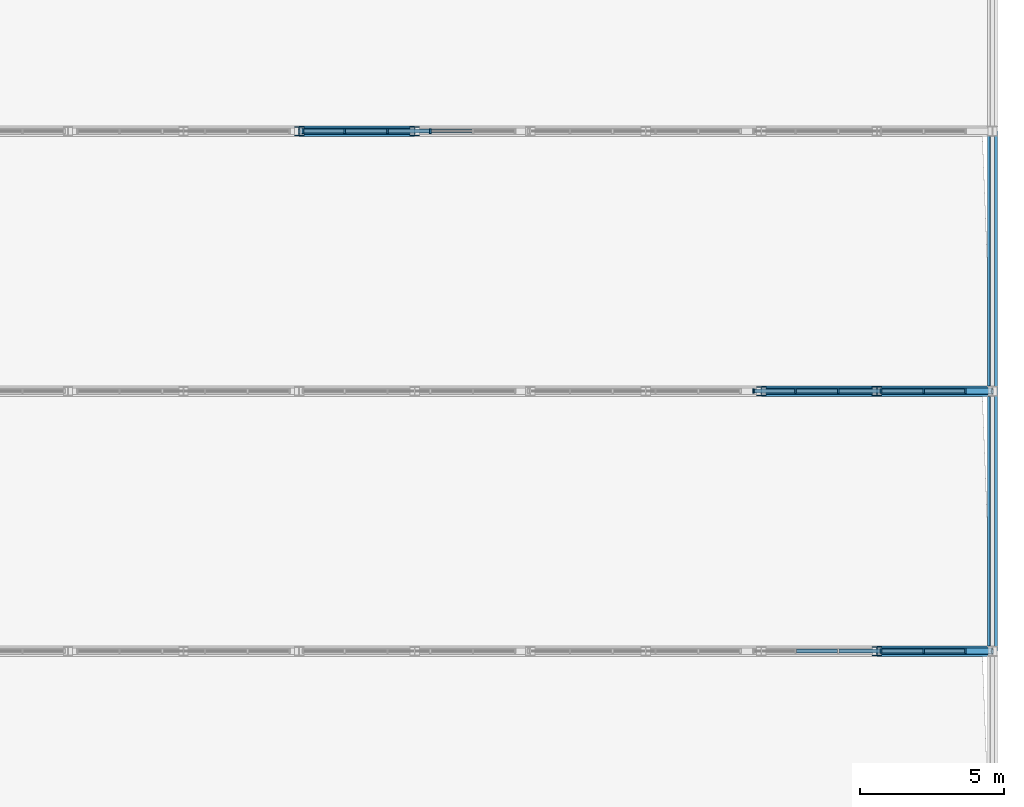
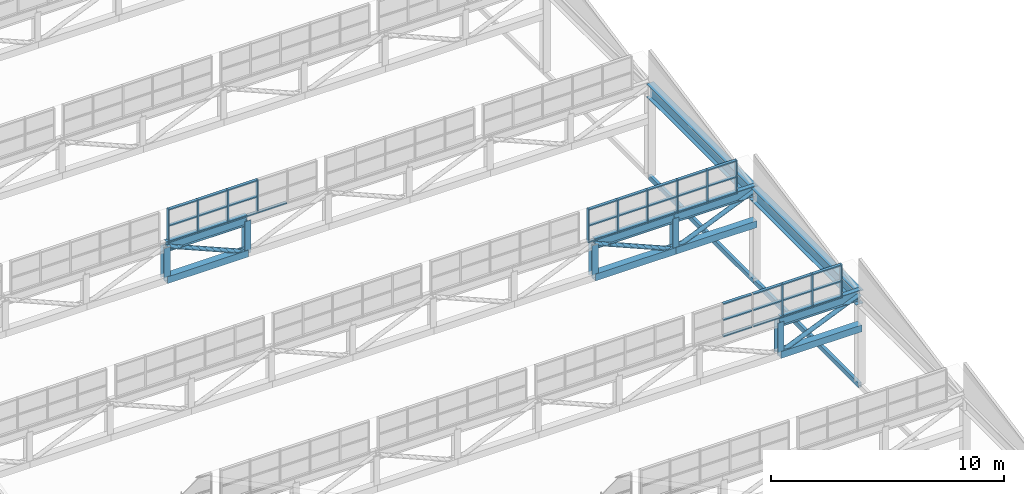
# One storey, part 89 of 159: 67 members, 4 beams, 3 elements without a shape of their own.
"""IFC4 building model written with IfcOpenShell, lengths in metres."""

from ifc_helpers import new_model, si_unit, direction, frame, origin, origin_2d, place, context, subcontext, project, spatial, rectangle, hollow_rectangle, hollow_circle, i_section, extrude, material, layer, layer_set, material_profile, profile_set, type_object, element, aggregate, save


model = new_model("IFC4")

# Units and contexts
model_context = context("Model", 3, precision=1e-05, world=origin(), true_north=direction((0.0, 1.0)))
body_context = subcontext(model_context, "Body", "Model", "MODEL_VIEW")
ifc_project = project(units=[si_unit("LENGTHUNIT", "METRE"), si_unit("AREAUNIT", "SQUARE_METRE"), si_unit("VOLUMEUNIT", "CUBIC_METRE"), si_unit("PLANEANGLEUNIT", "RADIAN"), si_unit("MASSUNIT", "GRAM", prefix="KILO")], contexts=[model_context])

# Site, building, storey
site_placement = place(None, origin())
site = spatial("IfcSite", under=ifc_project, at=site_placement, CompositionType="ELEMENT")
building_placement = place(site_placement, origin())
building = spatial("IfcBuilding", under=site, at=building_placement, Name="Cazmaro Siding Exhibition Halls", CompositionType="ELEMENT")
storey_placement = place(building_placement, frame((0.0, 0.0, 6.0)))
storey = spatial("IfcBuildingStorey", under=building, at=storey_placement, Name="L01", CompositionType="ELEMENT", Elevation=6.0)

# Curtain wall, members
ifc_material_1 = material(Name="Anodized Bronze Aluminum and Solar-Control Low-E Glazing", Category="aluminium")
ifc_layer = layer(ifc_material_1, 0.159912109375)
ifc_layer_set = layer_set([ifc_layer], Name="Anodized Bronze Aluminum and Solar-Control Low-E Glazing")
curtain_wall_type = type_object("IfcCurtainWallType", Name="CWS-04", PredefinedType="USERDEFINED", material=ifc_layer_set)
curtain_wall_1_placement = place(storey_placement, origin())
curtain_wall_1 = element("IfcCurtainWall", 1, at=curtain_wall_1_placement, inside=storey, type_object=curtain_wall_type, Name="Clerestory Curtain Wall CWS-04 CW-119", ObjectType="CLERESTORY CURTAIN WALL", PredefinedType="USERDEFINED")
ifc_material_2 = material(Name="Anodized Bronze Extruded Aluminum", Category="aluminium")
ifc_material_profile_1 = material_profile(ifc_material_2, rectangle(XDim=0.159912109375, YDim=0.06005859375, at=origin_2d()), Name="CWM-04")
ifc_profile_set_1 = profile_set([ifc_material_profile_1], Name="Anodized Bronze Extruded Aluminum")
member_type_1 = type_object("IfcMemberType", Name="CWM-04", PredefinedType="MULLION", material=ifc_profile_set_1)
member_1_placement = place(storey_placement, frame((215.070068359375, 82.0, 4.800048828125), z_axis=(0.0, 0.0, 1.0), x_axis=(0.0, -1.0, 0.0)))
member_1 = element("IfcMember", 2, at=member_1_placement, type_object=member_type_1, Name="CWS-04 mullion 1", PredefinedType="MULLION", context=body_context, shape_type="SweptSolid", body=[
    extrude(rectangle(XDim=0.159912109375, YDim=0.06005859375, at=origin_2d()), origin(), (0.0, 0.0, 1.0), 1.75),
])
member_2_placement = place(storey_placement, frame((213.6201171875, 82.0, 4.800048828125), z_axis=(0.0, 0.0, 1.0), x_axis=(0.0, -1.0, 0.0)))
member_2 = element("IfcMember", 3, at=member_2_placement, type_object=member_type_1, Name="CWS-04 mullion 2", PredefinedType="MULLION", context=body_context, shape_type="SweptSolid", body=[
    extrude(rectangle(XDim=0.159912109375, YDim=0.06005859375, at=origin_2d()), origin(), (0.0, 0.0, 1.0), 1.75),
])
member_3_placement = place(storey_placement, frame((212.139892578125, 82.0, 4.800048828125), z_axis=(0.0, 0.0, 1.0), x_axis=(0.0, -1.0, 0.0)))
member_3 = element("IfcMember", 4, at=member_3_placement, type_object=member_type_1, Name="CWS-04 mullion 3", PredefinedType="MULLION", context=body_context, shape_type="SweptSolid", body=[
    extrude(rectangle(XDim=0.159912109375, YDim=0.06005859375, at=origin_2d()), origin(), (0.0, 0.0, 1.0), 1.75),
])

curtain_wall_2_placement = place(storey_placement, origin())
curtain_wall_2 = element("IfcCurtainWall", 5, at=curtain_wall_2_placement, inside=storey, type_object=curtain_wall_type, Name="Clerestory Curtain Wall CWS-04 CW-124", ObjectType="CLERESTORY CURTAIN WALL", PredefinedType="USERDEFINED")
member_4_placement = place(storey_placement, frame((215.070068359375, 91.0, 4.800048828125), z_axis=(0.0, 0.0, 1.0), x_axis=(0.0, -1.0, 0.0)))
member_4 = element("IfcMember", 6, at=member_4_placement, type_object=member_type_1, Name="CWS-04 mullion 1", PredefinedType="MULLION", context=body_context, shape_type="SweptSolid", body=[
    extrude(rectangle(XDim=0.159912109375, YDim=0.06005859375, at=origin_2d()), origin(), (0.0, 0.0, 1.0), 1.75),
])
member_5_placement = place(storey_placement, frame((213.6201171875, 91.0, 4.800048828125), z_axis=(0.0, 0.0, 1.0), x_axis=(0.0, -1.0, 0.0)))
member_5 = element("IfcMember", 7, at=member_5_placement, type_object=member_type_1, Name="CWS-04 mullion 2", PredefinedType="MULLION", context=body_context, shape_type="SweptSolid", body=[
    extrude(rectangle(XDim=0.159912109375, YDim=0.06005859375, at=origin_2d()), origin(), (0.0, 0.0, 1.0), 1.75),
])
member_6_placement = place(storey_placement, frame((212.139892578125, 91.0, 4.800048828125), z_axis=(0.0, 0.0, 1.0), x_axis=(0.0, -1.0, 0.0)))
member_6 = element("IfcMember", 8, at=member_6_placement, type_object=member_type_1, Name="CWS-04 mullion 3", PredefinedType="MULLION", context=body_context, shape_type="SweptSolid", body=[
    extrude(rectangle(XDim=0.159912109375, YDim=0.06005859375, at=origin_2d()), origin(), (0.0, 0.0, 1.0), 1.75),
])
member_7_placement = place(storey_placement, frame((210.659912109375, 91.0, 4.800048828125), z_axis=(0.0, 0.0, 1.0), x_axis=(0.0, -1.0, 0.0)))
member_7 = element("IfcMember", 9, at=member_7_placement, type_object=member_type_1, Name="CWS-04 mullion 4", PredefinedType="MULLION", context=body_context, shape_type="SweptSolid", body=[
    extrude(rectangle(XDim=0.159912109375, YDim=0.06005859375, at=origin_2d()), origin(), (0.0, 0.0, 1.0), 1.75),
])
member_8_placement = place(storey_placement, frame((209.179931640625, 91.0, 4.800048828125), z_axis=(0.0, 0.0, 1.0), x_axis=(0.0, -1.0, 0.0)))
member_8 = element("IfcMember", 10, at=member_8_placement, type_object=member_type_1, Name="CWS-04 mullion 5", PredefinedType="MULLION", context=body_context, shape_type="SweptSolid", body=[
    extrude(rectangle(XDim=0.159912109375, YDim=0.06005859375, at=origin_2d()), origin(), (0.0, 0.0, 1.0), 1.75),
])
member_9_placement = place(storey_placement, frame((207.72998046875, 91.0, 4.800048828125), z_axis=(0.0, 0.0, 1.0), x_axis=(0.0, -1.0, 0.0)))
member_9 = element("IfcMember", 11, at=member_9_placement, type_object=member_type_1, Name="CWS-04 mullion 6", PredefinedType="MULLION", context=body_context, shape_type="SweptSolid", body=[
    extrude(rectangle(XDim=0.159912109375, YDim=0.06005859375, at=origin_2d()), origin(), (0.0, 0.0, 1.0), 1.75),
])

curtain_wall_3_placement = place(storey_placement, origin())
curtain_wall_3 = element("IfcCurtainWall", 12, at=curtain_wall_3_placement, inside=storey, type_object=curtain_wall_type, Name="Clerestory Curtain Wall CWS-04 CW-127", ObjectType="CLERESTORY CURTAIN WALL", PredefinedType="USERDEFINED")
member_10_placement = place(storey_placement, frame((196.5400390625, 100.0, 4.800048828125), z_axis=(0.0, 0.0, 1.0), x_axis=(0.0, -1.0, 0.0)))
member_10 = element("IfcMember", 13, at=member_10_placement, type_object=member_type_1, Name="CWS-04 mullion 3", PredefinedType="MULLION", context=body_context, shape_type="SweptSolid", body=[
    extrude(rectangle(XDim=0.159912109375, YDim=0.06005859375, at=origin_2d()), origin(), (0.0, 0.0, 1.0), 1.75),
])
member_11_placement = place(storey_placement, frame((195.06005859375, 100.0, 4.800048828125), z_axis=(0.0, 0.0, 1.0), x_axis=(0.0, -1.0, 0.0)))
member_11 = element("IfcMember", 14, at=member_11_placement, type_object=member_type_1, Name="CWS-04 mullion 4", PredefinedType="MULLION", context=body_context, shape_type="SweptSolid", body=[
    extrude(rectangle(XDim=0.159912109375, YDim=0.06005859375, at=origin_2d()), origin(), (0.0, 0.0, 1.0), 1.75),
])
member_12_placement = place(storey_placement, frame((193.580078125, 100.0, 4.800048828125), z_axis=(0.0, 0.0, 1.0), x_axis=(0.0, -1.0, 0.0)))
member_12 = element("IfcMember", 15, at=member_12_placement, type_object=member_type_1, Name="CWS-04 mullion 5", PredefinedType="MULLION", context=body_context, shape_type="SweptSolid", body=[
    extrude(rectangle(XDim=0.159912109375, YDim=0.06005859375, at=origin_2d()), origin(), (0.0, 0.0, 1.0), 1.75),
])
member_13_placement = place(storey_placement, frame((192.1298828125, 100.0, 4.800048828125), z_axis=(0.0, 0.0, 1.0), x_axis=(0.0, -1.0, 0.0)))
member_13 = element("IfcMember", 16, at=member_13_placement, type_object=member_type_1, Name="CWS-04 mullion 6", PredefinedType="MULLION", context=body_context, shape_type="SweptSolid", body=[
    extrude(rectangle(XDim=0.159912109375, YDim=0.06005859375, at=origin_2d()), origin(), (0.0, 0.0, 1.0), 1.75),
])

# Member
ifc_material_3 = material(Name="Anodized Bronze Extruded Aluminum", Category="aluminium")
ifc_material_profile_2 = material_profile(ifc_material_3, rectangle(XDim=0.139892578125, YDim=0.06005859375, at=origin_2d()), Name="CWT-04")
ifc_profile_set_2 = profile_set([ifc_material_profile_2], Name="Anodized Bronze Extruded Aluminum")
member_type_2 = type_object("IfcMemberType", Name="CWT-04", PredefinedType="MULLION", material=ifc_profile_set_2)
member_14_placement = place(storey_placement, frame((215.0400390625, 82.0, 4.830078125), z_axis=(-1.0, 0.0, 0.0), x_axis=(0.0, -1.0, 0.0)))
member_14 = element("IfcMember", 17, at=member_14_placement, type_object=member_type_2, Name="CWS-04 transom 1.1", ObjectType="TRANSOM", PredefinedType="USERDEFINED", context=body_context, shape_type="SweptSolid", body=[
    extrude(rectangle(XDim=0.139892578125, YDim=0.06005859375, at=origin_2d()), origin(), (0.0, 0.0, 1.0), 1.39013671875),
])

member_15_placement = place(storey_placement, frame((215.0400390625, 82.0, 5.679931640625), z_axis=(-1.0, 0.0, 0.0), x_axis=(0.0, -1.0, 0.0)))
member_15 = element("IfcMember", 18, at=member_15_placement, type_object=member_type_2, Name="CWS-04 transom 1.2", ObjectType="TRANSOM", PredefinedType="USERDEFINED", context=body_context, shape_type="SweptSolid", body=[
    extrude(rectangle(XDim=0.139892578125, YDim=0.06005859375, at=origin_2d()), origin(), (0.0, 0.0, 1.0), 1.39013671875),
])

member_16_placement = place(storey_placement, frame((215.0400390625, 82.0, 6.52001953125), z_axis=(-1.0, 0.0, 0.0), x_axis=(0.0, -1.0, 0.0)))
member_16 = element("IfcMember", 19, at=member_16_placement, type_object=member_type_2, Name="CWS-04 transom 1.3", ObjectType="TRANSOM", PredefinedType="USERDEFINED", context=body_context, shape_type="SweptSolid", body=[
    extrude(rectangle(XDim=0.139892578125, YDim=0.06005859375, at=origin_2d()), origin(), (0.0, 0.0, 1.0), 1.39013671875),
])

member_17_placement = place(storey_placement, frame((213.590087890625, 82.0, 4.830078125), z_axis=(-1.0, 0.0, 0.0), x_axis=(0.0, -1.0, 0.0)))
member_17 = element("IfcMember", 20, at=member_17_placement, type_object=member_type_2, Name="CWS-04 transom 2.1", ObjectType="TRANSOM", PredefinedType="USERDEFINED", context=body_context, shape_type="SweptSolid", body=[
    extrude(rectangle(XDim=0.139892578125, YDim=0.06005859375, at=origin_2d()), origin(), (0.0, 0.0, 1.0), 1.420166015625),
])

member_18_placement = place(storey_placement, frame((213.590087890625, 82.0, 5.679931640625), z_axis=(-1.0, 0.0, 0.0), x_axis=(0.0, -1.0, 0.0)))
member_18 = element("IfcMember", 21, at=member_18_placement, type_object=member_type_2, Name="CWS-04 transom 2.2", ObjectType="TRANSOM", PredefinedType="USERDEFINED", context=body_context, shape_type="SweptSolid", body=[
    extrude(rectangle(XDim=0.139892578125, YDim=0.06005859375, at=origin_2d()), origin(), (0.0, 0.0, 1.0), 1.420166015625),
])

member_19_placement = place(storey_placement, frame((213.590087890625, 82.0, 6.52001953125), z_axis=(-1.0, 0.0, 0.0), x_axis=(0.0, -1.0, 0.0)))
member_19 = element("IfcMember", 22, at=member_19_placement, type_object=member_type_2, Name="CWS-04 transom 2.3", ObjectType="TRANSOM", PredefinedType="USERDEFINED", context=body_context, shape_type="SweptSolid", body=[
    extrude(rectangle(XDim=0.139892578125, YDim=0.06005859375, at=origin_2d()), origin(), (0.0, 0.0, 1.0), 1.420166015625),
])

member_20_placement = place(storey_placement, frame((212.110107421875, 82.0, 4.830078125), z_axis=(-1.0, 0.0, 0.0), x_axis=(0.0, -1.0, 0.0)))
member_20 = element("IfcMember", 23, at=member_20_placement, type_object=member_type_2, Name="CWS-04 transom 3.1", ObjectType="TRANSOM", PredefinedType="USERDEFINED", context=body_context, shape_type="SweptSolid", body=[
    extrude(rectangle(XDim=0.139892578125, YDim=0.06005859375, at=origin_2d()), origin(), (0.0, 0.0, 1.0), 1.420166015625),
])

member_21_placement = place(storey_placement, frame((212.110107421875, 82.0, 5.679931640625), z_axis=(-1.0, 0.0, 0.0), x_axis=(0.0, -1.0, 0.0)))
member_21 = element("IfcMember", 24, at=member_21_placement, type_object=member_type_2, Name="CWS-04 transom 3.2", ObjectType="TRANSOM", PredefinedType="USERDEFINED", context=body_context, shape_type="SweptSolid", body=[
    extrude(rectangle(XDim=0.139892578125, YDim=0.06005859375, at=origin_2d()), origin(), (0.0, 0.0, 1.0), 1.420166015625),
])

member_22_placement = place(storey_placement, frame((212.110107421875, 82.0, 6.52001953125), z_axis=(-1.0, 0.0, 0.0), x_axis=(0.0, -1.0, 0.0)))
member_22 = element("IfcMember", 25, at=member_22_placement, type_object=member_type_2, Name="CWS-04 transom 3.3", ObjectType="TRANSOM", PredefinedType="USERDEFINED", context=body_context, shape_type="SweptSolid", body=[
    extrude(rectangle(XDim=0.139892578125, YDim=0.06005859375, at=origin_2d()), origin(), (0.0, 0.0, 1.0), 1.420166015625),
])

member_23_placement = place(storey_placement, frame((210.6298828125, 82.0, 4.830078125), z_axis=(-1.0, 0.0, 0.0), x_axis=(0.0, -1.0, 0.0)))
member_23 = element("IfcMember", 26, at=member_23_placement, type_object=member_type_2, Name="CWS-04 transom 4.1", ObjectType="TRANSOM", PredefinedType="USERDEFINED", context=body_context, shape_type="SweptSolid", body=[
    extrude(rectangle(XDim=0.139892578125, YDim=0.06005859375, at=origin_2d()), origin(), (0.0, 0.0, 1.0), 1.419921875),
])

member_24_placement = place(storey_placement, frame((210.6298828125, 82.0, 5.679931640625), z_axis=(-1.0, 0.0, 0.0), x_axis=(0.0, -1.0, 0.0)))
member_24 = element("IfcMember", 27, at=member_24_placement, type_object=member_type_2, Name="CWS-04 transom 4.2", ObjectType="TRANSOM", PredefinedType="USERDEFINED", context=body_context, shape_type="SweptSolid", body=[
    extrude(rectangle(XDim=0.139892578125, YDim=0.06005859375, at=origin_2d()), origin(), (0.0, 0.0, 1.0), 1.419921875),
])

member_25_placement = place(storey_placement, frame((210.6298828125, 82.0, 6.52001953125), z_axis=(-1.0, 0.0, 0.0), x_axis=(0.0, -1.0, 0.0)))
member_25 = element("IfcMember", 28, at=member_25_placement, type_object=member_type_2, Name="CWS-04 transom 4.3", ObjectType="TRANSOM", PredefinedType="USERDEFINED", context=body_context, shape_type="SweptSolid", body=[
    extrude(rectangle(XDim=0.139892578125, YDim=0.06005859375, at=origin_2d()), origin(), (0.0, 0.0, 1.0), 1.419921875),
])

aggregate(curtain_wall_1, [member_1, member_2, member_3, member_14, member_15, member_16, member_17, member_18, member_19, member_20, member_21, member_22, member_23, member_24, member_25])

member_26_placement = place(storey_placement, frame((215.0400390625, 91.0, 4.830078125), z_axis=(-1.0, 0.0, 0.0), x_axis=(0.0, -1.0, 0.0)))
member_26 = element("IfcMember", 29, at=member_26_placement, type_object=member_type_2, Name="CWS-04 transom 1.1", ObjectType="TRANSOM", PredefinedType="USERDEFINED", context=body_context, shape_type="SweptSolid", body=[
    extrude(rectangle(XDim=0.139892578125, YDim=0.06005859375, at=origin_2d()), origin(), (0.0, 0.0, 1.0), 1.39013671875),
])

member_27_placement = place(storey_placement, frame((215.0400390625, 91.0, 5.679931640625), z_axis=(-1.0, 0.0, 0.0), x_axis=(0.0, -1.0, 0.0)))
member_27 = element("IfcMember", 30, at=member_27_placement, type_object=member_type_2, Name="CWS-04 transom 1.2", ObjectType="TRANSOM", PredefinedType="USERDEFINED", context=body_context, shape_type="SweptSolid", body=[
    extrude(rectangle(XDim=0.139892578125, YDim=0.06005859375, at=origin_2d()), origin(), (0.0, 0.0, 1.0), 1.39013671875),
])

member_28_placement = place(storey_placement, frame((215.0400390625, 91.0, 6.52001953125), z_axis=(-1.0, 0.0, 0.0), x_axis=(0.0, -1.0, 0.0)))
member_28 = element("IfcMember", 31, at=member_28_placement, type_object=member_type_2, Name="CWS-04 transom 1.3", ObjectType="TRANSOM", PredefinedType="USERDEFINED", context=body_context, shape_type="SweptSolid", body=[
    extrude(rectangle(XDim=0.139892578125, YDim=0.06005859375, at=origin_2d()), origin(), (0.0, 0.0, 1.0), 1.39013671875),
])

member_29_placement = place(storey_placement, frame((213.590087890625, 91.0, 4.830078125), z_axis=(-1.0, 0.0, 0.0), x_axis=(0.0, -1.0, 0.0)))
member_29 = element("IfcMember", 32, at=member_29_placement, type_object=member_type_2, Name="CWS-04 transom 2.1", ObjectType="TRANSOM", PredefinedType="USERDEFINED", context=body_context, shape_type="SweptSolid", body=[
    extrude(rectangle(XDim=0.139892578125, YDim=0.06005859375, at=origin_2d()), origin(), (0.0, 0.0, 1.0), 1.420166015625),
])

member_30_placement = place(storey_placement, frame((213.590087890625, 91.0, 5.679931640625), z_axis=(-1.0, 0.0, 0.0), x_axis=(0.0, -1.0, 0.0)))
member_30 = element("IfcMember", 33, at=member_30_placement, type_object=member_type_2, Name="CWS-04 transom 2.2", ObjectType="TRANSOM", PredefinedType="USERDEFINED", context=body_context, shape_type="SweptSolid", body=[
    extrude(rectangle(XDim=0.139892578125, YDim=0.06005859375, at=origin_2d()), origin(), (0.0, 0.0, 1.0), 1.420166015625),
])

member_31_placement = place(storey_placement, frame((213.590087890625, 91.0, 6.52001953125), z_axis=(-1.0, 0.0, 0.0), x_axis=(0.0, -1.0, 0.0)))
member_31 = element("IfcMember", 34, at=member_31_placement, type_object=member_type_2, Name="CWS-04 transom 2.3", ObjectType="TRANSOM", PredefinedType="USERDEFINED", context=body_context, shape_type="SweptSolid", body=[
    extrude(rectangle(XDim=0.139892578125, YDim=0.06005859375, at=origin_2d()), origin(), (0.0, 0.0, 1.0), 1.420166015625),
])

member_32_placement = place(storey_placement, frame((212.110107421875, 91.0, 4.830078125), z_axis=(-1.0, 0.0, 0.0), x_axis=(0.0, -1.0, 0.0)))
member_32 = element("IfcMember", 35, at=member_32_placement, type_object=member_type_2, Name="CWS-04 transom 3.1", ObjectType="TRANSOM", PredefinedType="USERDEFINED", context=body_context, shape_type="SweptSolid", body=[
    extrude(rectangle(XDim=0.139892578125, YDim=0.06005859375, at=origin_2d()), origin(), (0.0, 0.0, 1.0), 1.420166015625),
])

member_33_placement = place(storey_placement, frame((212.110107421875, 91.0, 5.679931640625), z_axis=(-1.0, 0.0, 0.0), x_axis=(0.0, -1.0, 0.0)))
member_33 = element("IfcMember", 36, at=member_33_placement, type_object=member_type_2, Name="CWS-04 transom 3.2", ObjectType="TRANSOM", PredefinedType="USERDEFINED", context=body_context, shape_type="SweptSolid", body=[
    extrude(rectangle(XDim=0.139892578125, YDim=0.06005859375, at=origin_2d()), origin(), (0.0, 0.0, 1.0), 1.420166015625),
])

member_34_placement = place(storey_placement, frame((212.110107421875, 91.0, 6.52001953125), z_axis=(-1.0, 0.0, 0.0), x_axis=(0.0, -1.0, 0.0)))
member_34 = element("IfcMember", 37, at=member_34_placement, type_object=member_type_2, Name="CWS-04 transom 3.3", ObjectType="TRANSOM", PredefinedType="USERDEFINED", context=body_context, shape_type="SweptSolid", body=[
    extrude(rectangle(XDim=0.139892578125, YDim=0.06005859375, at=origin_2d()), origin(), (0.0, 0.0, 1.0), 1.420166015625),
])

member_35_placement = place(storey_placement, frame((210.6298828125, 91.0, 4.830078125), z_axis=(-1.0, 0.0, 0.0), x_axis=(0.0, -1.0, 0.0)))
member_35 = element("IfcMember", 38, at=member_35_placement, type_object=member_type_2, Name="CWS-04 transom 4.1", ObjectType="TRANSOM", PredefinedType="USERDEFINED", context=body_context, shape_type="SweptSolid", body=[
    extrude(rectangle(XDim=0.139892578125, YDim=0.06005859375, at=origin_2d()), origin(), (0.0, 0.0, 1.0), 1.419921875),
])

member_36_placement = place(storey_placement, frame((210.6298828125, 91.0, 5.679931640625), z_axis=(-1.0, 0.0, 0.0), x_axis=(0.0, -1.0, 0.0)))
member_36 = element("IfcMember", 39, at=member_36_placement, type_object=member_type_2, Name="CWS-04 transom 4.2", ObjectType="TRANSOM", PredefinedType="USERDEFINED", context=body_context, shape_type="SweptSolid", body=[
    extrude(rectangle(XDim=0.139892578125, YDim=0.06005859375, at=origin_2d()), origin(), (0.0, 0.0, 1.0), 1.419921875),
])

member_37_placement = place(storey_placement, frame((210.6298828125, 91.0, 6.52001953125), z_axis=(-1.0, 0.0, 0.0), x_axis=(0.0, -1.0, 0.0)))
member_37 = element("IfcMember", 40, at=member_37_placement, type_object=member_type_2, Name="CWS-04 transom 4.3", ObjectType="TRANSOM", PredefinedType="USERDEFINED", context=body_context, shape_type="SweptSolid", body=[
    extrude(rectangle(XDim=0.139892578125, YDim=0.06005859375, at=origin_2d()), origin(), (0.0, 0.0, 1.0), 1.419921875),
])

member_38_placement = place(storey_placement, frame((209.14990234375, 91.0, 4.830078125), z_axis=(-1.0, 0.0, 0.0), x_axis=(0.0, -1.0, 0.0)))
member_38 = element("IfcMember", 41, at=member_38_placement, type_object=member_type_2, Name="CWS-04 transom 5.1", ObjectType="TRANSOM", PredefinedType="USERDEFINED", context=body_context, shape_type="SweptSolid", body=[
    extrude(rectangle(XDim=0.139892578125, YDim=0.06005859375, at=origin_2d()), origin(), (0.0, 0.0, 1.0), 1.389892578125),
])

member_39_placement = place(storey_placement, frame((209.14990234375, 91.0, 5.679931640625), z_axis=(-1.0, 0.0, 0.0), x_axis=(0.0, -1.0, 0.0)))
member_39 = element("IfcMember", 42, at=member_39_placement, type_object=member_type_2, Name="CWS-04 transom 5.2", ObjectType="TRANSOM", PredefinedType="USERDEFINED", context=body_context, shape_type="SweptSolid", body=[
    extrude(rectangle(XDim=0.139892578125, YDim=0.06005859375, at=origin_2d()), origin(), (0.0, 0.0, 1.0), 1.389892578125),
])

member_40_placement = place(storey_placement, frame((209.14990234375, 91.0, 6.52001953125), z_axis=(-1.0, 0.0, 0.0), x_axis=(0.0, -1.0, 0.0)))
member_40 = element("IfcMember", 43, at=member_40_placement, type_object=member_type_2, Name="CWS-04 transom 5.3", ObjectType="TRANSOM", PredefinedType="USERDEFINED", context=body_context, shape_type="SweptSolid", body=[
    extrude(rectangle(XDim=0.139892578125, YDim=0.06005859375, at=origin_2d()), origin(), (0.0, 0.0, 1.0), 1.389892578125),
])

aggregate(curtain_wall_2, [member_4, member_5, member_6, member_7, member_8, member_9, member_26, member_27, member_28, member_29, member_30, member_31, member_32, member_33, member_34, member_35, member_36, member_37, member_38, member_39, member_40])

member_41_placement = place(storey_placement, frame((197.989990234375, 100.0, 4.830078125), z_axis=(-1.0, 0.0, 0.0), x_axis=(0.0, -1.0, 0.0)))
member_41 = element("IfcMember", 44, at=member_41_placement, type_object=member_type_2, Name="CWS-04 transom 2.1", ObjectType="TRANSOM", PredefinedType="USERDEFINED", context=body_context, shape_type="SweptSolid", body=[
    extrude(rectangle(XDim=0.139892578125, YDim=0.06005859375, at=origin_2d()), origin(), (0.0, 0.0, 1.0), 1.419921875),
])

member_42_placement = place(storey_placement, frame((196.510009765625, 100.0, 4.830078125), z_axis=(-1.0, 0.0, 0.0), x_axis=(0.0, -1.0, 0.0)))
member_42 = element("IfcMember", 45, at=member_42_placement, type_object=member_type_2, Name="CWS-04 transom 3.1", ObjectType="TRANSOM", PredefinedType="USERDEFINED", context=body_context, shape_type="SweptSolid", body=[
    extrude(rectangle(XDim=0.139892578125, YDim=0.06005859375, at=origin_2d()), origin(), (0.0, 0.0, 1.0), 1.419921875),
])

member_43_placement = place(storey_placement, frame((196.510009765625, 100.0, 5.679931640625), z_axis=(-1.0, 0.0, 0.0), x_axis=(0.0, -1.0, 0.0)))
member_43 = element("IfcMember", 46, at=member_43_placement, type_object=member_type_2, Name="CWS-04 transom 3.2", ObjectType="TRANSOM", PredefinedType="USERDEFINED", context=body_context, shape_type="SweptSolid", body=[
    extrude(rectangle(XDim=0.139892578125, YDim=0.06005859375, at=origin_2d()), origin(), (0.0, 0.0, 1.0), 1.419921875),
])

member_44_placement = place(storey_placement, frame((196.510009765625, 100.0, 6.52001953125), z_axis=(-1.0, 0.0, 0.0), x_axis=(0.0, -1.0, 0.0)))
member_44 = element("IfcMember", 47, at=member_44_placement, type_object=member_type_2, Name="CWS-04 transom 3.3", ObjectType="TRANSOM", PredefinedType="USERDEFINED", context=body_context, shape_type="SweptSolid", body=[
    extrude(rectangle(XDim=0.139892578125, YDim=0.06005859375, at=origin_2d()), origin(), (0.0, 0.0, 1.0), 1.419921875),
])

member_45_placement = place(storey_placement, frame((195.030029296875, 100.0, 4.830078125), z_axis=(-1.0, 0.0, 0.0), x_axis=(0.0, -1.0, 0.0)))
member_45 = element("IfcMember", 48, at=member_45_placement, type_object=member_type_2, Name="CWS-04 transom 4.1", ObjectType="TRANSOM", PredefinedType="USERDEFINED", context=body_context, shape_type="SweptSolid", body=[
    extrude(rectangle(XDim=0.139892578125, YDim=0.06005859375, at=origin_2d()), origin(), (0.0, 0.0, 1.0), 1.419921875),
])

member_46_placement = place(storey_placement, frame((195.030029296875, 100.0, 5.679931640625), z_axis=(-1.0, 0.0, 0.0), x_axis=(0.0, -1.0, 0.0)))
member_46 = element("IfcMember", 49, at=member_46_placement, type_object=member_type_2, Name="CWS-04 transom 4.2", ObjectType="TRANSOM", PredefinedType="USERDEFINED", context=body_context, shape_type="SweptSolid", body=[
    extrude(rectangle(XDim=0.139892578125, YDim=0.06005859375, at=origin_2d()), origin(), (0.0, 0.0, 1.0), 1.419921875),
])

member_47_placement = place(storey_placement, frame((195.030029296875, 100.0, 6.52001953125), z_axis=(-1.0, 0.0, 0.0), x_axis=(0.0, -1.0, 0.0)))
member_47 = element("IfcMember", 50, at=member_47_placement, type_object=member_type_2, Name="CWS-04 transom 4.3", ObjectType="TRANSOM", PredefinedType="USERDEFINED", context=body_context, shape_type="SweptSolid", body=[
    extrude(rectangle(XDim=0.139892578125, YDim=0.06005859375, at=origin_2d()), origin(), (0.0, 0.0, 1.0), 1.419921875),
])

member_48_placement = place(storey_placement, frame((193.550048828125, 100.0, 4.830078125), z_axis=(-1.0, 0.0, 0.0), x_axis=(0.0, -1.0, 0.0)))
member_48 = element("IfcMember", 51, at=member_48_placement, type_object=member_type_2, Name="CWS-04 transom 5.1", ObjectType="TRANSOM", PredefinedType="USERDEFINED", context=body_context, shape_type="SweptSolid", body=[
    extrude(rectangle(XDim=0.139892578125, YDim=0.06005859375, at=origin_2d()), origin(), (0.0, 0.0, 1.0), 1.39013671875),
])

member_49_placement = place(storey_placement, frame((193.550048828125, 100.0, 5.679931640625), z_axis=(-1.0, 0.0, 0.0), x_axis=(0.0, -1.0, 0.0)))
member_49 = element("IfcMember", 52, at=member_49_placement, type_object=member_type_2, Name="CWS-04 transom 5.2", ObjectType="TRANSOM", PredefinedType="USERDEFINED", context=body_context, shape_type="SweptSolid", body=[
    extrude(rectangle(XDim=0.139892578125, YDim=0.06005859375, at=origin_2d()), origin(), (0.0, 0.0, 1.0), 1.39013671875),
])

member_50_placement = place(storey_placement, frame((193.550048828125, 100.0, 6.52001953125), z_axis=(-1.0, 0.0, 0.0), x_axis=(0.0, -1.0, 0.0)))
member_50 = element("IfcMember", 53, at=member_50_placement, type_object=member_type_2, Name="CWS-04 transom 5.3", ObjectType="TRANSOM", PredefinedType="USERDEFINED", context=body_context, shape_type="SweptSolid", body=[
    extrude(rectangle(XDim=0.139892578125, YDim=0.06005859375, at=origin_2d()), origin(), (0.0, 0.0, 1.0), 1.39013671875),
])

aggregate(curtain_wall_3, [member_10, member_11, member_12, member_13, member_41, member_42, member_43, member_44, member_45, member_46, member_47, member_48, member_49, member_50])

# Beams
ifc_material_4 = material(Name="Steel ASTM A992 Grade 50", Category="steel")
ifc_material_profile_3 = material_profile(ifc_material_4, i_section(OverallWidth=0.35595703125, OverallDepth=0.696044921875, WebThickness=0.014892578125, FlangeThickness=0.02490234375, at=origin_2d()), Name="W27X146")
ifc_profile_set_3 = profile_set([ifc_material_profile_3], Name="Steel ASTM A992 Grade 50")
beam_type_1 = type_object("IfcBeamType", Name="G-05", PredefinedType="USERDEFINED", material=ifc_profile_set_3)
for number, where, z_axis, x_axis, name in (
    (54, (216.0, 82.0, 4.451904296875), (0.0, 1.0, 0.0), (-1.0, 0.0, 0.0), "Beam G-05 BM-1554"),
    (55, (216.0, 91.0, 4.451904296875), (0.0, 1.0, 0.0), (-1.0, 0.0, 0.0), "Beam G-05 BM-1558"),
):
    element("IfcBeam", number, at=place(storey_placement, frame(where, z_axis=z_axis, x_axis=x_axis)), inside=storey, type_object=beam_type_1, Name=name, ObjectType="GIRDER", PredefinedType="USERDEFINED", context=body_context, shape_type="SweptSolid", body=[
        extrude(i_section(OverallWidth=0.35595703125, OverallDepth=0.696044921875, WebThickness=0.014892578125, FlangeThickness=0.02490234375, at=origin_2d()), origin(), (0.0, 0.0, 1.0), 9.0),
    ])
ifc_material_5 = material(Name="Steel ASTM A500 Grade C", Category="steel")
ifc_material_profile_4 = material_profile(ifc_material_5, hollow_rectangle(XDim=0.152099609375, YDim=0.25390625, WallThickness=0.011962890625, at=origin_2d()), Name="HSS10X6X1/2")
ifc_profile_set_4 = profile_set([ifc_material_profile_4], Name="Steel ASTM A500 Grade C")
beam_type_2 = type_object("IfcBeamType", Name="SP-02", PredefinedType="SPANDREL", material=ifc_profile_set_4)
for number, where, z_axis, x_axis, name in (
    (56, (216.0, 82.0, -0.126953125), (0.0, 1.0, 0.0), (-1.0, 0.0, 0.0), "Beam SP-02 BM-1553"),
    (57, (216.0, 91.0, -0.126953125), (0.0, 1.0, 0.0), (-1.0, 0.0, 0.0), "Beam SP-02 BM-1557"),
):
    element("IfcBeam", number, at=place(storey_placement, frame(where, z_axis=z_axis, x_axis=x_axis)), inside=storey, type_object=beam_type_2, Name=name, PredefinedType="SPANDREL", context=body_context, shape_type="SweptSolid", body=[
        extrude(hollow_rectangle(XDim=0.152099609375, YDim=0.25390625, WallThickness=0.011962890625, at=origin_2d()), origin(), (0.0, 0.0, 1.0), 9.0),
    ])

# Members
ifc_material_6 = material(Name="Steel ASTM A992 Grade 50", Category="steel")
ifc_material_profile_5 = material_profile(ifc_material_6, i_section(OverallWidth=0.214111328125, OverallDepth=0.549072265625, WebThickness=0.014892578125, FlangeThickness=0.02392578125, at=origin_2d()), Name="W21X93")
ifc_profile_set_5 = profile_set([ifc_material_profile_5], Name="Steel ASTM A992 Grade 50")
member_type_3 = type_object("IfcMemberType", Name="TC-04", PredefinedType="CHORD", material=ifc_profile_set_5)
for number, where, z_axis, x_axis, name in (
    (58, (212.0, 82.0, 4.64990234375), (1.0, 0.0, 0.0), (0.0, 1.0, 0.0), "Sawtooth truss top chord TC-04 MEM-3076"),
    (59, (208.0, 91.0, 4.64990234375), (1.0, 0.0, 0.0), (0.0, 1.0, 0.0), "Sawtooth truss top chord TC-04 MEM-3112"),
    (60, (212.0, 91.0, 4.64990234375), (1.0, 0.0, 0.0), (0.0, 1.0, 0.0), "Sawtooth truss top chord TC-04 MEM-3115"),
    (61, (192.0, 100.0, 4.64990234375), (1.0, 0.0, 0.0), (0.0, 1.0, 0.0), "Sawtooth truss top chord TC-04 MEM-3139"),
):
    element("IfcMember", number, at=place(storey_placement, frame(where, z_axis=z_axis, x_axis=x_axis)), inside=storey, type_object=member_type_3, Name=name, PredefinedType="CHORD", context=body_context, shape_type="SweptSolid", body=[
        extrude(i_section(OverallWidth=0.214111328125, OverallDepth=0.549072265625, WebThickness=0.014892578125, FlangeThickness=0.02392578125, at=origin_2d()), origin(), (0.0, 0.0, 1.0), 4.0),
    ])
ifc_material_7 = material(Name="Steel ASTM A500 Grade C", Category="steel")
ifc_material_profile_6 = material_profile(ifc_material_7, hollow_rectangle(XDim=0.35595703125, YDim=0.35595703125, WallThickness=0.014892578125, at=origin_2d()), Name="HSS14X14X5/8")
ifc_profile_set_6 = profile_set([ifc_material_profile_6], Name="Steel ASTM A500 Grade C")
member_type_4 = type_object("IfcMemberType", Name="TC-05", PredefinedType="CHORD", material=ifc_profile_set_6)
for number, where, z_axis, x_axis, name in (
    (62, (212.0, 82.0, 2.949951171875), (1.0, 0.0, 0.0), (0.0, 1.0, 0.0), "Sawtooth truss bottom chord TC-05 MEM-3077"),
    (63, (208.0, 91.0, 2.949951171875), (1.0, 0.0, 0.0), (0.0, 1.0, 0.0), "Sawtooth truss bottom chord TC-05 MEM-3113"),
    (64, (212.0, 91.0, 2.949951171875), (1.0, 0.0, 0.0), (0.0, 1.0, 0.0), "Sawtooth truss bottom chord TC-05 MEM-3116"),
    (65, (192.0, 100.0, 2.949951171875), (1.0, 0.0, 0.0), (0.0, 1.0, 0.0), "Sawtooth truss bottom chord TC-05 MEM-3140"),
):
    element("IfcMember", number, at=place(storey_placement, frame(where, z_axis=z_axis, x_axis=x_axis)), inside=storey, type_object=member_type_4, Name=name, PredefinedType="CHORD", context=body_context, shape_type="SweptSolid", body=[
        extrude(hollow_rectangle(XDim=0.35595703125, YDim=0.35595703125, WallThickness=0.014892578125, at=origin_2d()), origin(), (0.0, 0.0, 1.0), 4.0),
    ])
ifc_material_8 = material(Name="Steel ASTM A992 Grade 50", Category="steel")
ifc_material_profile_7 = material_profile(ifc_material_8, i_section(OverallWidth=0.304931640625, OverallDepth=0.306884765625, WebThickness=0.010009765625, FlangeThickness=0.014892578125, at=origin_2d()), Name="W12X65")
ifc_profile_set_7 = profile_set([ifc_material_profile_7], Name="Steel ASTM A992 Grade 50")
member_type_5 = type_object("IfcMemberType", Name="TP-03", PredefinedType="POST", material=ifc_profile_set_7)
for number, where, z_axis, x_axis, name in (
    (66, (212.0, 82.0, 2.949951171875), (0.0, 0.0, 1.0), (1.0, 0.0, 0.0), "Sawtooth truss post TP-03 MEM-3087"),
    (67, (208.0, 91.0, 2.949951171875), (0.0, 0.0, 1.0), (1.0, 0.0, 0.0), "Sawtooth truss post TP-03 MEM-3125"),
    (68, (212.0, 91.0, 2.949951171875), (0.0, 0.0, 1.0), (1.0, 0.0, 0.0), "Sawtooth truss post TP-03 MEM-3126"),
    (69, (192.0, 100.0, 2.949951171875), (0.0, 0.0, 1.0), (1.0, 0.0, 0.0), "Sawtooth truss post TP-03 MEM-3160"),
    (70, (196.0, 100.0, 2.949951171875), (0.0, 0.0, 1.0), (1.0, 0.0, 0.0), "Sawtooth truss post TP-03 MEM-3161"),
):
    element("IfcMember", number, at=place(storey_placement, frame(where, z_axis=z_axis, x_axis=x_axis)), inside=storey, type_object=member_type_5, Name=name, PredefinedType="POST", context=body_context, shape_type="SweptSolid", body=[
        extrude(i_section(OverallWidth=0.304931640625, OverallDepth=0.306884765625, WebThickness=0.010009765625, FlangeThickness=0.014892578125, at=origin_2d()), origin(), (0.0, 0.0, 1.0), 1.699951171875),
    ])
ifc_material_9 = material(Name="Steel ASTM A500 Grade C", Category="steel")
ifc_material_profile_8 = material_profile(ifc_material_9, hollow_circle(Radius=0.109619140625, WallThickness=0.012939453125, at=origin_2d()), Name="PIPE8XS")
ifc_profile_set_8 = profile_set([ifc_material_profile_8], Name="Steel ASTM A500 Grade C")
member_type_6 = type_object("IfcMemberType", Name="WB-01", PredefinedType="BRACE", material=ifc_profile_set_8)
for number, where, z_axis, x_axis, name in (
    (71, (212.0, 82.0, 2.949951171875), (0.920334962612, 0.0, 0.391131124553), (0.0, 1.0, 0.0), "Sawtooth truss diagonal WB-01 MEM-3078"),
    (72, (208.0, 91.0, 4.64990234375), (0.920334962612, 0.0, -0.391131124553), (0.0, 1.0, 0.0), "Sawtooth truss diagonal WB-01 MEM-3114"),
    (73, (212.0, 91.0, 2.949951171875), (0.920334962612, 0.0, 0.391131124553), (0.0, 1.0, 0.0), "Sawtooth truss diagonal WB-01 MEM-3117"),
    (74, (192.0, 100.0, 4.64990234375), (0.920334962612, 0.0, -0.391131124553), (0.0, 1.0, 0.0), "Sawtooth truss diagonal WB-01 MEM-3141"),
):
    element("IfcMember", number, at=place(storey_placement, frame(where, z_axis=z_axis, x_axis=x_axis)), inside=storey, type_object=member_type_6, Name=name, PredefinedType="BRACE", context=body_context, shape_type="SweptSolid", body=[
        extrude(hollow_circle(Radius=0.109619140625, WallThickness=0.012939453125, at=origin_2d()), origin(), (0.0, 0.0, 1.0), 4.34619140625),
    ])

save(model, "model.ifc")
